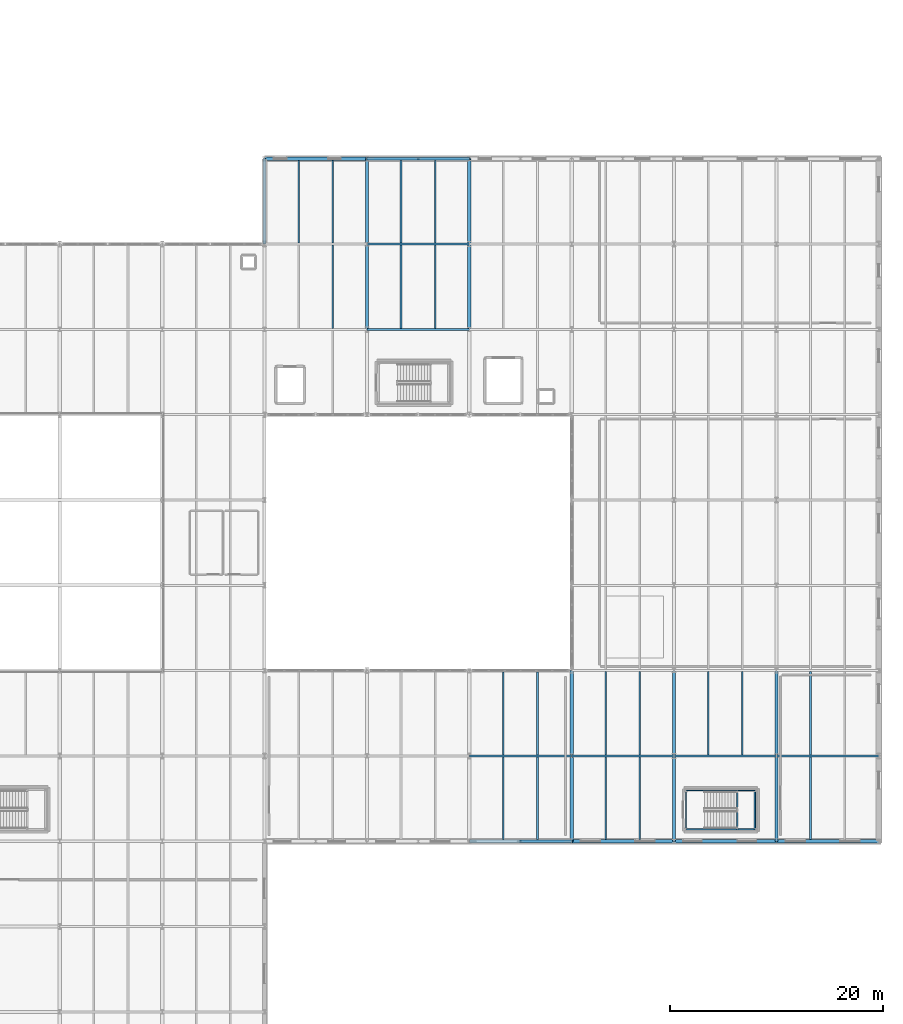
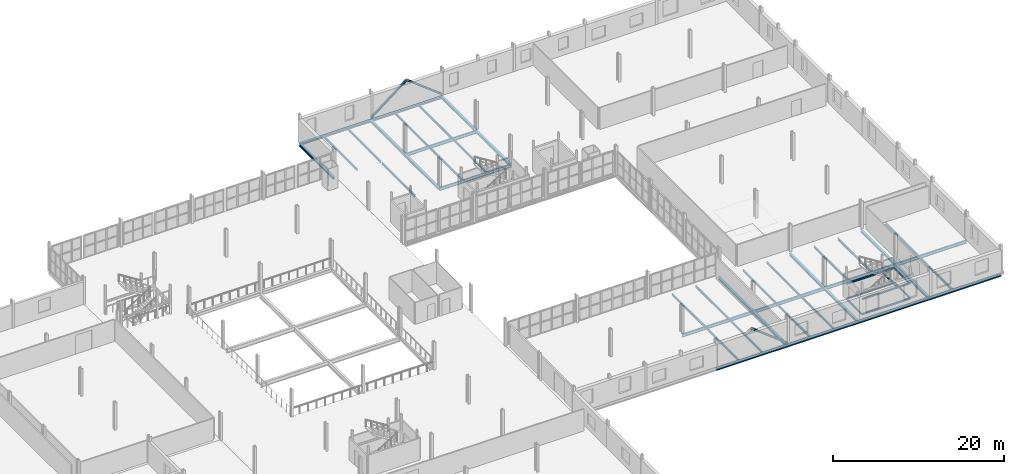
# One storey, part 43 of 78: 50 beams, 3 members.
"""IFC4 building model written with IfcOpenShell, lengths in metres."""

from ifc_helpers import new_model, si_unit, direction, frame, origin, origin_2d, place, context, subcontext, project, spatial, i_section, extrude, material, material_profile, profile_set, type_object, element, save


model = new_model("IFC4")

# Units and contexts
model_context = context("Model", 3, precision=1e-05, world=origin(), true_north=direction((0.0, 1.0)))
body_context = subcontext(model_context, "Body", "Model", "MODEL_VIEW")
ifc_project = project(units=[si_unit("LENGTHUNIT", "METRE"), si_unit("AREAUNIT", "SQUARE_METRE"), si_unit("VOLUMEUNIT", "CUBIC_METRE"), si_unit("PLANEANGLEUNIT", "RADIAN"), si_unit("MASSUNIT", "GRAM", prefix="KILO")], contexts=[model_context])

# Site, building, storey
site_placement = place(None, origin())
site = spatial("IfcSite", under=ifc_project, at=site_placement, CompositionType="ELEMENT")
building_placement = place(site_placement, origin())
building = spatial("IfcBuilding", under=site, at=building_placement, Name="Alderhovde Museum", CompositionType="ELEMENT")
storey_placement = place(building_placement, frame((0.0, 0.0, 4.5)))
storey = spatial("IfcBuildingStorey", under=building, at=storey_placement, Name="L01", CompositionType="ELEMENT", Elevation=4.5)

# Beams
ifc_material_1 = material(Name="Steel S355J2", Category="steel")
ifc_material_profile_1 = material_profile(ifc_material_1, i_section(OverallWidth=0.300048828125, OverallDepth=0.330078125, WebThickness=0.009521484375, FlangeThickness=0.0166015625, FilletRadius=0.027099609375, at=origin_2d()), Name="HEA 340")
ifc_profile_set_1 = profile_set([ifc_material_profile_1], Name="Steel S355J2")
beam_type_1 = type_object("IfcBeamType", Name="BM-HEA340", PredefinedType="BEAM", material=ifc_profile_set_1)
for number, where, z_axis, x_axis, name in (
    (1, (115.199951171875, 88.0, -0.425048828125), (0.0, 1.0, 0.0), (-1.0, 0.0, 0.0), "L01 Grid Beam X=115.2 (88.0 TO 96.0)"),
    (2, (124.800048828125, 80.0, -0.425048828125), (0.0, 1.0, 0.0), (-1.0, 0.0, 0.0), "L01 Grid Beam X=124.8 (80.0 TO 88.0)"),
    (3, (124.800048828125, 88.0, -0.425048828125), (0.0, 1.0, 0.0), (-1.0, 0.0, 0.0), "L01 Grid Beam X=124.8 (88.0 TO 96.0)"),
    (4, (134.39990234375, 80.0, -0.425048828125), (0.0, 1.0, 0.0), (-1.0, 0.0, 0.0), "L01 Grid Beam X=134.4 (80.0 TO 88.0)"),
    (5, (134.39990234375, 88.0, -0.425048828125), (0.0, 1.0, 0.0), (-1.0, 0.0, 0.0), "L01 Grid Beam X=134.4 (88.0 TO 96.0)"),
    (6, (144.0, 32.0, -0.425048828125), (0.0, 1.0, 0.0), (-1.0, 0.0, 0.0), "L01 Grid Beam X=144.0 (32.0 TO 40.0)"),
    (7, (144.0, 40.0, -0.425048828125), (0.0, 1.0, 0.0), (-1.0, 0.0, 0.0), "L01 Grid Beam X=144.0 (40.0 TO 48.0)"),
    (8, (153.60009765625, 32.0, -0.425048828125), (0.0, 1.0, 0.0), (-1.0, 0.0, 0.0), "L01 Grid Beam X=153.6 (32.0 TO 40.0)"),
    (9, (153.60009765625, 40.0, -0.425048828125), (0.0, 1.0, 0.0), (-1.0, 0.0, 0.0), "L01 Grid Beam X=153.6 (40.0 TO 48.0)"),
    (10, (163.199951171875, 32.0, -0.425048828125), (0.0, 1.0, 0.0), (-1.0, 0.0, 0.0), "L01 Grid Beam X=163.2 (32.0 TO 40.0)"),
    (11, (163.199951171875, 40.0, -0.425048828125), (0.0, 1.0, 0.0), (-1.0, 0.0, 0.0), "L01 Grid Beam X=163.2 (40.0 TO 48.0)"),
):
    element("IfcBeam", number, at=place(storey_placement, frame(where, z_axis=z_axis, x_axis=x_axis)), inside=storey, type_object=beam_type_1, Name=name, PredefinedType="BEAM", context=body_context, shape_type="SweptSolid", body=[
        extrude(i_section(OverallWidth=0.300048828125, OverallDepth=0.330078125, WebThickness=0.009521484375, FlangeThickness=0.0166015625, FilletRadius=0.027099609375, at=origin_2d()), origin(), (0.0, 0.0, 1.0), 8.0),
    ])
ifc_material_2 = material(Name="Steel S355J2", Category="steel")
ifc_material_profile_2 = material_profile(ifc_material_2, i_section(OverallWidth=0.1201171875, OverallDepth=0.239990234375, WebThickness=0.006103515625, FlangeThickness=0.009765625, FilletRadius=0.014892578125, at=origin_2d()), Name="IPE 240")
ifc_profile_set_2 = profile_set([ifc_material_profile_2], Name="Steel S355J2")
beam_type_2 = type_object("IfcBeamType", Name="BM-IPE240", PredefinedType="BEAM", material=ifc_profile_set_2)
for number, where, z_axis, x_axis, name in (
    (12, (154.719970703125, 33.1201171875, -0.3798828125), (1.0, 0.0, 0.0), (0.0, 1.0, 0.0), "L01 Stair ST7 Floor Trimmer S"),
    (13, (154.719970703125, 36.760009765625, -0.3798828125), (1.0, 0.0, 0.0), (0.0, 1.0, 0.0), "L01 Stair ST7 Floor Trimmer N"),
):
    element("IfcBeam", number, at=place(storey_placement, frame(where, z_axis=z_axis, x_axis=x_axis)), inside=storey, type_object=beam_type_2, Name=name, PredefinedType="BEAM", context=body_context, shape_type="SweptSolid", body=[
        extrude(i_section(OverallWidth=0.1201171875, OverallDepth=0.239990234375, WebThickness=0.006103515625, FlangeThickness=0.009765625, FilletRadius=0.014892578125, at=origin_2d()), origin(), (0.0, 0.0, 1.0), 6.52001953125),
    ])
for number, where, z_axis, x_axis, name in (
    (14, (154.719970703125, 33.1201171875, -0.3798828125), (0.0, 1.0, 0.0), (-1.0, 0.0, 0.0), "L01 Stair ST7 Floor Trimmer W"),
    (15, (161.239990234375, 33.1201171875, -0.3798828125), (0.0, 1.0, 0.0), (-1.0, 0.0, 0.0), "L01 Stair ST7 Floor Trimmer E"),
):
    element("IfcBeam", number, at=place(storey_placement, frame(where, z_axis=z_axis, x_axis=x_axis)), inside=storey, type_object=beam_type_2, Name=name, PredefinedType="BEAM", context=body_context, shape_type="SweptSolid", body=[
        extrude(i_section(OverallWidth=0.1201171875, OverallDepth=0.239990234375, WebThickness=0.006103515625, FlangeThickness=0.009765625, FilletRadius=0.014892578125, at=origin_2d()), origin(), (0.0, 0.0, 1.0), 3.639892578125),
    ])
for number, where, z_axis, x_axis, name in (
    (16, (154.719970703125, 33.1201171875, 1.780029296875), (1.0, 0.0, 0.0), (0.0, 1.0, 0.0), "L01 Stair ST7 Landing 1 Beam S"),
    (17, (154.719970703125, 36.760009765625, 1.780029296875), (1.0, 0.0, 0.0), (0.0, 1.0, 0.0), "L01 Stair ST7 Landing 1 Beam N"),
):
    element("IfcBeam", number, at=place(storey_placement, frame(where, z_axis=z_axis, x_axis=x_axis)), inside=storey, type_object=beam_type_2, Name=name, PredefinedType="BEAM", context=body_context, shape_type="SweptSolid", body=[
        extrude(i_section(OverallWidth=0.1201171875, OverallDepth=0.239990234375, WebThickness=0.006103515625, FlangeThickness=0.009765625, FilletRadius=0.014892578125, at=origin_2d()), origin(), (0.0, 0.0, 1.0), 6.52001953125),
    ])
for number, where, z_axis, x_axis, name in (
    (18, (159.52001953125, 33.1201171875, 1.780029296875), (0.0, 1.0, 0.0), (-1.0, 0.0, 0.0), "L01 Stair ST7 Landing 1 Beam W"),
    (19, (161.159912109375, 33.1201171875, 1.780029296875), (0.0, 1.0, 0.0), (-1.0, 0.0, 0.0), "L01 Stair ST7 Landing 1 Beam E"),
):
    element("IfcBeam", number, at=place(storey_placement, frame(where, z_axis=z_axis, x_axis=x_axis)), inside=storey, type_object=beam_type_2, Name=name, PredefinedType="BEAM", context=body_context, shape_type="SweptSolid", body=[
        extrude(i_section(OverallWidth=0.1201171875, OverallDepth=0.239990234375, WebThickness=0.006103515625, FlangeThickness=0.009765625, FilletRadius=0.014892578125, at=origin_2d()), origin(), (0.0, 0.0, 1.0), 3.639892578125),
    ])
ifc_material_3 = material(Name="Steel S355J2", Category="steel")
ifc_material_profile_3 = material_profile(ifc_material_3, i_section(OverallWidth=0.18994140625, OverallDepth=0.449951171875, WebThickness=0.009521484375, FlangeThickness=0.0146484375, FilletRadius=0.02099609375, at=origin_2d()), Name="IPE 450")
ifc_profile_set_3 = profile_set([ifc_material_profile_3], Name="Steel S355J2")
beam_type_3 = type_object("IfcBeamType", Name="BM-IPE450", PredefinedType="BEAM", material=ifc_profile_set_3)
for number, where, z_axis, x_axis, name in (
    (20, (134.39990234375, 40.0, -0.485107421875), (1.0, 0.0, 0.0), (0.0, 1.0, 0.0), "L01 Grid Beam Y=40.0 (134.4 TO 144.0)"),
    (21, (144.0, 40.0, -0.485107421875), (1.0, 0.0, 0.0), (0.0, 1.0, 0.0), "L01 Grid Beam Y=40.0 (144.0 TO 153.6)"),
):
    element("IfcBeam", number, at=place(storey_placement, frame(where, z_axis=z_axis, x_axis=x_axis)), inside=storey, type_object=beam_type_3, Name=name, PredefinedType="BEAM", context=body_context, shape_type="SweptSolid", body=[
        extrude(i_section(OverallWidth=0.18994140625, OverallDepth=0.449951171875, WebThickness=0.009521484375, FlangeThickness=0.0146484375, FilletRadius=0.02099609375, at=origin_2d()), origin(), (0.0, 0.0, 1.0), 9.60009765625),
    ])
beam_1_placement = place(storey_placement, frame((153.60009765625, 40.0, -0.485107421875), z_axis=(1.0, 0.0, 0.0), x_axis=(0.0, 1.0, 0.0)))
element("IfcBeam", 22, at=beam_1_placement, inside=storey, type_object=beam_type_3, Name="L01 Grid Beam Y=40.0 (153.6 TO 163.2)", PredefinedType="BEAM", context=body_context, shape_type="SweptSolid", body=[
    extrude(i_section(OverallWidth=0.18994140625, OverallDepth=0.449951171875, WebThickness=0.009521484375, FlangeThickness=0.0146484375, FilletRadius=0.02099609375, at=origin_2d()), origin(), (0.0, 0.0, 1.0), 9.599853515625),
])
beam_2_placement = place(storey_placement, frame((163.199951171875, 40.0, -0.485107421875), z_axis=(1.0, 0.0, 0.0), x_axis=(0.0, 1.0, 0.0)))
element("IfcBeam", 23, at=beam_2_placement, inside=storey, type_object=beam_type_3, Name="L01 Grid Beam Y=40.0 (163.2 TO 172.8)", PredefinedType="BEAM", context=body_context, shape_type="SweptSolid", body=[
    extrude(i_section(OverallWidth=0.18994140625, OverallDepth=0.449951171875, WebThickness=0.009521484375, FlangeThickness=0.0146484375, FilletRadius=0.02099609375, at=origin_2d()), origin(), (0.0, 0.0, 1.0), 9.60009765625),
])
for number, where, z_axis, x_axis, name in (
    (24, (124.800048828125, 80.0, -0.485107421875), (1.0, 0.0, 0.0), (0.0, 1.0, 0.0), "L01 Grid Beam Y=80.0 (124.8 TO 134.4)"),
    (25, (124.800048828125, 88.0, -0.485107421875), (1.0, 0.0, 0.0), (0.0, 1.0, 0.0), "L01 Grid Beam Y=88.0 (124.8 TO 134.4)"),
):
    element("IfcBeam", number, at=place(storey_placement, frame(where, z_axis=z_axis, x_axis=x_axis)), inside=storey, type_object=beam_type_3, Name=name, PredefinedType="BEAM", context=body_context, shape_type="SweptSolid", body=[
        extrude(i_section(OverallWidth=0.18994140625, OverallDepth=0.449951171875, WebThickness=0.009521484375, FlangeThickness=0.0146484375, FilletRadius=0.02099609375, at=origin_2d()), origin(), (0.0, 0.0, 1.0), 9.599853515625),
    ])

# Members
ifc_material_4 = material(Name="Steel S355J2", Category="steel")
ifc_material_profile_4 = material_profile(ifc_material_4, i_section(OverallWidth=0.239990234375, OverallDepth=0.22998046875, WebThickness=0.007568359375, FlangeThickness=0.011962890625, FilletRadius=0.02099609375, at=origin_2d()), Name="HEA 240")
ifc_profile_set_4 = profile_set([ifc_material_profile_4], Name="Steel S355J2")
member_type = type_object("IfcMemberType", Name="BR-HEA240", PredefinedType="BRACE", material=ifc_profile_set_4)
for number, where, z_axis, x_axis, name in (
    (26, (144.0, 32.0, 0.0), (-0.790420405146, 0.0, 0.612564758314), (0.0, -1.0, 0.0), "L01 Chevron Brace BR-V5-S-R"),
    (27, (124.800048828125, 96.0, 0.0), (0.790420405146, 0.0, 0.612564758314), (0.0, 1.0, 0.0), "L01 Chevron Brace BR-V5-N-L"),
):
    element("IfcMember", number, at=place(storey_placement, frame(where, z_axis=z_axis, x_axis=x_axis)), inside=storey, type_object=member_type, Name=name, PredefinedType="BRACE", context=body_context, shape_type="SweptSolid", body=[
        extrude(i_section(OverallWidth=0.239990234375, OverallDepth=0.22998046875, WebThickness=0.007568359375, FlangeThickness=0.011962890625, FilletRadius=0.02099609375, at=origin_2d()), origin(), (0.0, 0.0, 1.0), 6.07275390625),
    ])
member_placement = place(storey_placement, frame((134.39990234375, 96.0, 0.0), z_axis=(-0.790405319037, 0.0, 0.612584224118), x_axis=(0.0, -1.0, 0.0)))
element("IfcMember", 28, at=member_placement, inside=storey, type_object=member_type, Name="L01 Chevron Brace BR-V5-N-R", PredefinedType="BRACE", context=body_context, shape_type="SweptSolid", body=[
    extrude(i_section(OverallWidth=0.239990234375, OverallDepth=0.22998046875, WebThickness=0.007568359375, FlangeThickness=0.011962890625, FilletRadius=0.02099609375, at=origin_2d()), origin(), (0.0, 0.0, 1.0), 6.072509765625),
])

# Beams
ifc_material_5 = material(Name="Steel S355J2", Category="steel")
ifc_material_profile_5 = material_profile(ifc_material_5, i_section(OverallWidth=0.14990234375, OverallDepth=0.300048828125, WebThickness=0.007080078125, FlangeThickness=0.0107421875, FilletRadius=0.014892578125, at=origin_2d()), Name="IPE 300")
ifc_profile_set_5 = profile_set([ifc_material_profile_5], Name="Steel S355J2")
beam_type_4 = type_object("IfcBeamType", Name="JST-IPE300", PredefinedType="JOIST", material=ifc_profile_set_5)
beam_3_placement = place(storey_placement, frame((121.60009765625, 80.094970703125, -0.409912109375), z_axis=(0.0, 1.0, 0.0), x_axis=(-1.0, 0.0, 0.0)))
element("IfcBeam", 29, at=beam_3_placement, inside=storey, type_object=beam_type_4, Name="L01 Composite Joist X=121.6 (80.0 TO 88.0)", PredefinedType="JOIST", context=body_context, shape_type="SweptSolid", body=[
    extrude(i_section(OverallWidth=0.14990234375, OverallDepth=0.300048828125, WebThickness=0.007080078125, FlangeThickness=0.0107421875, FilletRadius=0.014892578125, at=origin_2d()), origin(), (0.0, 0.0, 1.0), 7.81005859375),
])
for number, where, z_axis, x_axis, name in (
    (30, (118.39990234375, 88.094970703125, -0.409912109375), (0.0, 1.0, 0.0), (-1.0, 0.0, 0.0), "L01 Composite Joist X=118.4 (88.0 TO 96.0)"),
    (31, (121.60009765625, 88.094970703125, -0.409912109375), (0.0, 1.0, 0.0), (-1.0, 0.0, 0.0), "L01 Composite Joist X=121.6 (88.0 TO 96.0)"),
):
    element("IfcBeam", number, at=place(storey_placement, frame(where, z_axis=z_axis, x_axis=x_axis)), inside=storey, type_object=beam_type_4, Name=name, PredefinedType="JOIST", context=body_context, shape_type="SweptSolid", body=[
        extrude(i_section(OverallWidth=0.14990234375, OverallDepth=0.300048828125, WebThickness=0.007080078125, FlangeThickness=0.0107421875, FilletRadius=0.014892578125, at=origin_2d()), origin(), (0.0, 0.0, 1.0), 7.755126953125),
    ])
for number, where, z_axis, x_axis, name in (
    (32, (128.0, 80.094970703125, -0.409912109375), (0.0, 1.0, 0.0), (-1.0, 0.0, 0.0), "L01 Composite Joist X=128.0 (80.0 TO 88.0)"),
    (33, (131.199951171875, 80.094970703125, -0.409912109375), (0.0, 1.0, 0.0), (-1.0, 0.0, 0.0), "L01 Composite Joist X=131.2 (80.0 TO 88.0)"),
):
    element("IfcBeam", number, at=place(storey_placement, frame(where, z_axis=z_axis, x_axis=x_axis)), inside=storey, type_object=beam_type_4, Name=name, PredefinedType="JOIST", context=body_context, shape_type="SweptSolid", body=[
        extrude(i_section(OverallWidth=0.14990234375, OverallDepth=0.300048828125, WebThickness=0.007080078125, FlangeThickness=0.0107421875, FilletRadius=0.014892578125, at=origin_2d()), origin(), (0.0, 0.0, 1.0), 7.81005859375),
    ])
for number, where, z_axis, x_axis, name in (
    (34, (128.0, 88.094970703125, -0.409912109375), (0.0, 1.0, 0.0), (-1.0, 0.0, 0.0), "L01 Composite Joist X=128.0 (88.0 TO 96.0)"),
    (35, (131.199951171875, 88.094970703125, -0.409912109375), (0.0, 1.0, 0.0), (-1.0, 0.0, 0.0), "L01 Composite Joist X=131.2 (88.0 TO 96.0)"),
    (36, (137.60009765625, 32.14990234375, -0.409912109375), (0.0, 1.0, 0.0), (-1.0, 0.0, 0.0), "L01 Composite Joist X=137.6 (32.0 TO 40.0)"),
    (37, (140.800048828125, 32.14990234375, -0.409912109375), (0.0, 1.0, 0.0), (-1.0, 0.0, 0.0), "L01 Composite Joist X=140.8 (32.0 TO 40.0)"),
    (38, (137.60009765625, 40.094970703125, -0.409912109375), (0.0, 1.0, 0.0), (-1.0, 0.0, 0.0), "L01 Composite Joist X=137.6 (40.0 TO 48.0)"),
    (39, (140.800048828125, 40.094970703125, -0.409912109375), (0.0, 1.0, 0.0), (-1.0, 0.0, 0.0), "L01 Composite Joist X=140.8 (40.0 TO 48.0)"),
    (40, (147.199951171875, 32.14990234375, -0.409912109375), (0.0, 1.0, 0.0), (-1.0, 0.0, 0.0), "L01 Composite Joist X=147.2 (32.0 TO 40.0)"),
    (41, (150.39990234375, 32.14990234375, -0.409912109375), (0.0, 1.0, 0.0), (-1.0, 0.0, 0.0), "L01 Composite Joist X=150.4 (32.0 TO 40.0)"),
):
    element("IfcBeam", number, at=place(storey_placement, frame(where, z_axis=z_axis, x_axis=x_axis)), inside=storey, type_object=beam_type_4, Name=name, PredefinedType="JOIST", context=body_context, shape_type="SweptSolid", body=[
        extrude(i_section(OverallWidth=0.14990234375, OverallDepth=0.300048828125, WebThickness=0.007080078125, FlangeThickness=0.0107421875, FilletRadius=0.014892578125, at=origin_2d()), origin(), (0.0, 0.0, 1.0), 7.755126953125),
    ])
for number, where, z_axis, x_axis, name in (
    (42, (147.199951171875, 40.094970703125, -0.409912109375), (0.0, 1.0, 0.0), (-1.0, 0.0, 0.0), "L01 Composite Joist X=147.2 (40.0 TO 48.0)"),
    (43, (150.39990234375, 40.094970703125, -0.409912109375), (0.0, 1.0, 0.0), (-1.0, 0.0, 0.0), "L01 Composite Joist X=150.4 (40.0 TO 48.0)"),
    (44, (156.800048828125, 40.094970703125, -0.409912109375), (0.0, 1.0, 0.0), (-1.0, 0.0, 0.0), "L01 Composite Joist X=156.8 (40.0 TO 48.0)"),
    (45, (160.0, 40.094970703125, -0.409912109375), (0.0, 1.0, 0.0), (-1.0, 0.0, 0.0), "L01 Composite Joist X=160.0 (40.0 TO 48.0)"),
):
    element("IfcBeam", number, at=place(storey_placement, frame(where, z_axis=z_axis, x_axis=x_axis)), inside=storey, type_object=beam_type_4, Name=name, PredefinedType="JOIST", context=body_context, shape_type="SweptSolid", body=[
        extrude(i_section(OverallWidth=0.14990234375, OverallDepth=0.300048828125, WebThickness=0.007080078125, FlangeThickness=0.0107421875, FilletRadius=0.014892578125, at=origin_2d()), origin(), (0.0, 0.0, 1.0), 7.81005859375),
    ])
beam_4_placement = place(storey_placement, frame((166.39990234375, 32.14990234375, -0.409912109375), z_axis=(0.0, 1.0, 0.0), x_axis=(-1.0, 0.0, 0.0)))
element("IfcBeam", 46, at=beam_4_placement, inside=storey, type_object=beam_type_4, Name="L01 Composite Joist X=166.4 (32.0 TO 40.0)", PredefinedType="JOIST", context=body_context, shape_type="SweptSolid", body=[
    extrude(i_section(OverallWidth=0.14990234375, OverallDepth=0.300048828125, WebThickness=0.007080078125, FlangeThickness=0.0107421875, FilletRadius=0.014892578125, at=origin_2d()), origin(), (0.0, 0.0, 1.0), 7.755126953125),
])
beam_5_placement = place(storey_placement, frame((166.39990234375, 40.094970703125, -0.409912109375), z_axis=(0.0, 1.0, 0.0), x_axis=(-1.0, 0.0, 0.0)))
element("IfcBeam", 47, at=beam_5_placement, inside=storey, type_object=beam_type_4, Name="L01 Composite Joist X=166.4 (40.0 TO 48.0)", PredefinedType="JOIST", context=body_context, shape_type="SweptSolid", body=[
    extrude(i_section(OverallWidth=0.14990234375, OverallDepth=0.300048828125, WebThickness=0.007080078125, FlangeThickness=0.0107421875, FilletRadius=0.014892578125, at=origin_2d()), origin(), (0.0, 0.0, 1.0), 7.81005859375),
])
ifc_material_6 = material(Name="Steel S355J2", Category="steel")
ifc_material_profile_6 = material_profile(ifc_material_6, i_section(OverallWidth=0.300048828125, OverallDepth=0.2900390625, WebThickness=0.008544921875, FlangeThickness=0.013916015625, FilletRadius=0.027099609375, at=origin_2d()), Name="HEA 300")
ifc_profile_set_6 = profile_set([ifc_material_profile_6], Name="Steel S355J2")
beam_type_5 = type_object("IfcBeamType", Name="SPD-HEA300", PredefinedType="SPANDREL", material=ifc_profile_set_6)
for number, where, z_axis, x_axis, name in (
    (48, (134.39990234375, 32.0, -0.405029296875), (1.0, 0.0, 0.0), (0.0, 1.0, 0.0), "L01 Grid Beam Y=32.0 (134.4 TO 144.0)"),
    (49, (144.0, 32.0, -0.405029296875), (1.0, 0.0, 0.0), (0.0, 1.0, 0.0), "L01 Grid Beam Y=32.0 (144.0 TO 153.6)"),
):
    element("IfcBeam", number, at=place(storey_placement, frame(where, z_axis=z_axis, x_axis=x_axis)), inside=storey, type_object=beam_type_5, Name=name, PredefinedType="SPANDREL", context=body_context, shape_type="SweptSolid", body=[
        extrude(i_section(OverallWidth=0.300048828125, OverallDepth=0.2900390625, WebThickness=0.008544921875, FlangeThickness=0.013916015625, FilletRadius=0.027099609375, at=origin_2d()), origin(), (0.0, 0.0, 1.0), 9.60009765625),
    ])
beam_6_placement = place(storey_placement, frame((153.60009765625, 32.0, -0.405029296875), z_axis=(1.0, 0.0, 0.0), x_axis=(0.0, 1.0, 0.0)))
element("IfcBeam", 50, at=beam_6_placement, inside=storey, type_object=beam_type_5, Name="L01 Grid Beam Y=32.0 (153.6 TO 163.2)", PredefinedType="SPANDREL", context=body_context, shape_type="SweptSolid", body=[
    extrude(i_section(OverallWidth=0.300048828125, OverallDepth=0.2900390625, WebThickness=0.008544921875, FlangeThickness=0.013916015625, FilletRadius=0.027099609375, at=origin_2d()), origin(), (0.0, 0.0, 1.0), 9.599853515625),
])
for number, where, z_axis, x_axis, name in (
    (51, (163.199951171875, 32.0, -0.405029296875), (1.0, 0.0, 0.0), (0.0, 1.0, 0.0), "L01 Grid Beam Y=32.0 (163.2 TO 172.8)"),
    (52, (115.199951171875, 96.0, -0.405029296875), (1.0, 0.0, 0.0), (0.0, 1.0, 0.0), "L01 Grid Beam Y=96.0 (115.2 TO 124.8)"),
):
    element("IfcBeam", number, at=place(storey_placement, frame(where, z_axis=z_axis, x_axis=x_axis)), inside=storey, type_object=beam_type_5, Name=name, PredefinedType="SPANDREL", context=body_context, shape_type="SweptSolid", body=[
        extrude(i_section(OverallWidth=0.300048828125, OverallDepth=0.2900390625, WebThickness=0.008544921875, FlangeThickness=0.013916015625, FilletRadius=0.027099609375, at=origin_2d()), origin(), (0.0, 0.0, 1.0), 9.60009765625),
    ])
beam_7_placement = place(storey_placement, frame((124.800048828125, 96.0, -0.405029296875), z_axis=(1.0, 0.0, 0.0), x_axis=(0.0, 1.0, 0.0)))
element("IfcBeam", 53, at=beam_7_placement, inside=storey, type_object=beam_type_5, Name="L01 Grid Beam Y=96.0 (124.8 TO 134.4)", PredefinedType="SPANDREL", context=body_context, shape_type="SweptSolid", body=[
    extrude(i_section(OverallWidth=0.300048828125, OverallDepth=0.2900390625, WebThickness=0.008544921875, FlangeThickness=0.013916015625, FilletRadius=0.027099609375, at=origin_2d()), origin(), (0.0, 0.0, 1.0), 9.599853515625),
])

save(model, "model.ifc")
